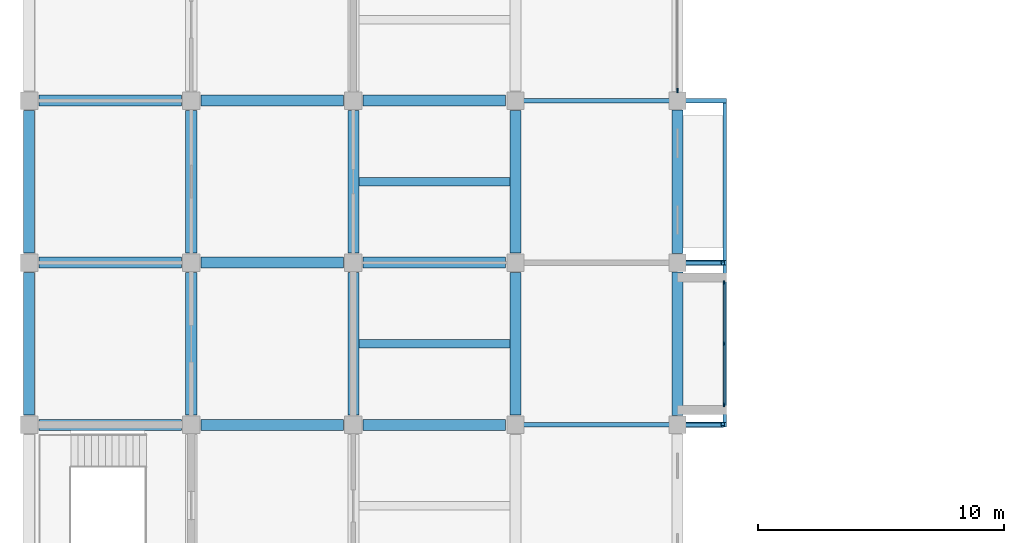
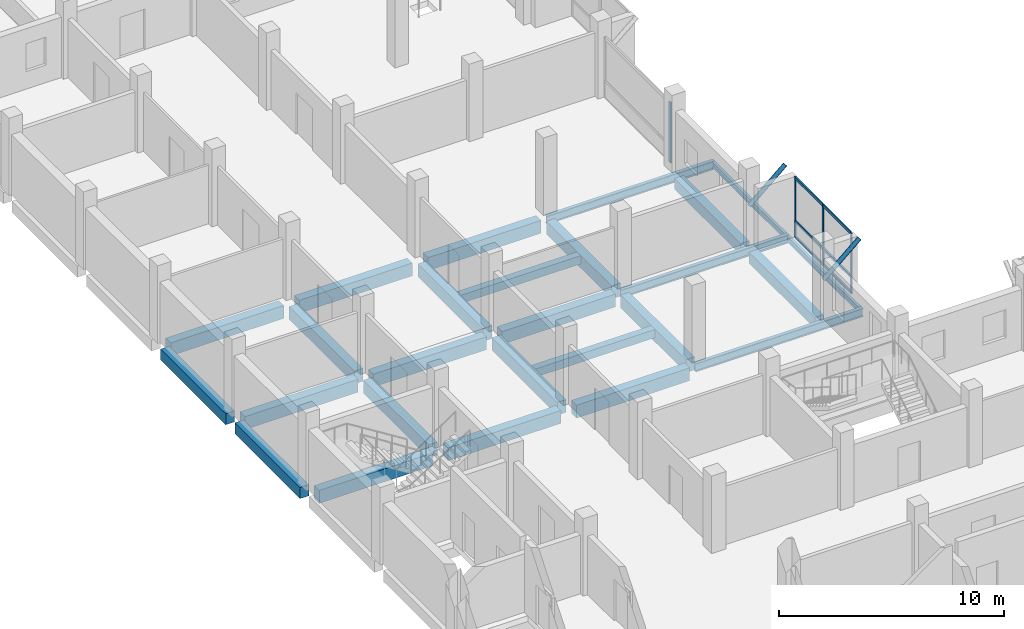
# One storey, part 3 of 13: 26 beams, 12 members, 2 elements without a shape of their own.
"""IFC4 building model written with IfcOpenShell, lengths in metres."""

from ifc_helpers import new_model, si_unit, direction, frame, origin, origin_2d, place, context, subcontext, project, spatial, rectangle, hollow_circle, i_section, extrude, material, material_profile, profile_set, type_object, element, aggregate, save


model = new_model("IFC4")

# Units and contexts
model_context = context("Model", 3, precision=1e-05, world=origin(), true_north=direction((0.0, 1.0)))
body_context = subcontext(model_context, "Body", "Model", "MODEL_VIEW")
ifc_project = project(units=[si_unit("LENGTHUNIT", "METRE"), si_unit("AREAUNIT", "SQUARE_METRE"), si_unit("VOLUMEUNIT", "CUBIC_METRE"), si_unit("PLANEANGLEUNIT", "RADIAN"), si_unit("MASSUNIT", "GRAM", prefix="KILO")], contexts=[model_context])

# Site, building, storey
site_placement = place(None, origin())
site = spatial("IfcSite", under=ifc_project, at=site_placement, CompositionType="ELEMENT")
building_placement = place(site_placement, origin())
building = spatial("IfcBuilding", under=site, at=building_placement, Name="Rusizi Kubbe Research Institute", CompositionType="ELEMENT")
storey_placement = place(building_placement, frame((0.0, 0.0, 35.39990234375)))
storey = spatial("IfcBuildingStorey", under=building, at=storey_placement, Name="L08", CompositionType="ELEMENT", Elevation=35.39990234375)

# Beams
ifc_material_1 = material(Name="Steel S355", Category="steel")
ifc_material_profile_1 = material_profile(ifc_material_1, i_section(OverallWidth=0.14990234375, OverallDepth=0.300048828125, WebThickness=0.007080078125, FlangeThickness=0.0107421875, at=origin_2d()), Name="IPE 300")
ifc_profile_set_1 = profile_set([ifc_material_profile_1], Name="Steel S355")
beam_type_1 = type_object("IfcBeamType", Name="BM-IPE300", PredefinedType="BEAM", material=ifc_profile_set_1)
for number, where, z_axis, x_axis, name in (
    (1, (28.324951171875, 33.094970703125, -0.469970703125), (0.0, 1.0, 0.0), (-1.0, 0.0, 0.0), "Cumba Edge Tie Beam L08-1"),
    (2, (28.324951171875, 39.695068359375, -0.469970703125), (0.0, 1.0, 0.0), (-1.0, 0.0, 0.0), "Cumba Edge Tie Beam L08-4"),
):
    element("IfcBeam", number, at=place(storey_placement, frame(where, z_axis=z_axis, x_axis=x_axis)), inside=storey, type_object=beam_type_1, Name=name, PredefinedType="BEAM", context=body_context, shape_type="SweptSolid", body=[
        extrude(i_section(OverallWidth=0.14990234375, OverallDepth=0.300048828125, WebThickness=0.007080078125, FlangeThickness=0.0107421875, at=origin_2d()), origin(), (0.0, 0.0, 1.0), 6.409912109375),
    ])
ifc_material_2 = material(Name="Steel S355", Category="steel")
ifc_material_profile_2 = material_profile(ifc_material_2, i_section(OverallWidth=0.18994140625, OverallDepth=0.449951171875, WebThickness=0.009521484375, FlangeThickness=0.0146484375, at=origin_2d()), Name="IPE 450")
ifc_profile_set_2 = profile_set([ifc_material_profile_2], Name="Steel S355")
beam_type_2 = type_object("IfcBeamType", Name="BM-IPE450", PredefinedType="BEAM", material=ifc_profile_set_2)
for number, where, z_axis, x_axis, name in (
    (3, (19.800048828125, 33.0, -0.544921875), (1.0, 0.0, 0.0), (0.0, 1.0, 0.0), "Cumba Back-Spanned Cantilever Beam L08-1S"),
    (4, (19.800048828125, 39.60009765625, -0.544921875), (1.0, 0.0, 0.0), (0.0, 1.0, 0.0), "Cumba Back-Spanned Cantilever Beam L08-1N"),
    (5, (19.800048828125, 46.199951171875, -0.544921875), (1.0, 0.0, 0.0), (0.0, 1.0, 0.0), "Cumba Back-Spanned Cantilever Beam L08-4N"),
):
    element("IfcBeam", number, at=place(storey_placement, frame(where, z_axis=z_axis, x_axis=x_axis)), inside=storey, type_object=beam_type_2, Name=name, PredefinedType="BEAM", context=body_context, shape_type="SweptSolid", body=[
        extrude(i_section(OverallWidth=0.18994140625, OverallDepth=0.449951171875, WebThickness=0.009521484375, FlangeThickness=0.0146484375, at=origin_2d()), origin(), (0.0, 0.0, 1.0), 8.599853515625),
    ])
ifc_material_3 = material(Name="Concrete C40/50", Category="concrete")
ifc_material_profile_3 = material_profile(ifc_material_3, rectangle(XDim=0.35009765625, YDim=0.449951171875, at=origin_2d()), Name="RC350x450")
ifc_profile_set_3 = profile_set([ifc_material_profile_3], Name="Concrete C40/50")
beam_type_3 = type_object("IfcBeamType", Name="BM-RC350x450", PredefinedType="JOIST", material=ifc_profile_set_3)
for number, where, z_axis, x_axis, name in (
    (6, (13.425048828125, 36.300048828125, -0.544921875), (1.0, 0.0, 0.0), (0.0, 1.0, 0.0), "Lab Stiffener Joist L08 (2,5)"),
    (7, (13.425048828125, 42.89990234375, -0.544921875), (1.0, 0.0, 0.0), (0.0, 1.0, 0.0), "Lab Stiffener Joist L08 (2,6)"),
):
    element("IfcBeam", number, at=place(storey_placement, frame(where, z_axis=z_axis, x_axis=x_axis)), inside=storey, type_object=beam_type_3, Name=name, PredefinedType="JOIST", context=body_context, shape_type="SweptSolid", body=[
        extrude(rectangle(XDim=0.35009765625, YDim=0.449951171875, at=origin_2d()), origin(), (0.0, 0.0, 1.0), 6.14990234375),
    ])
ifc_material_4 = material(Name="Concrete C40/50", Category="concrete")
ifc_material_profile_4 = material_profile(ifc_material_4, rectangle(XDim=0.449951171875, YDim=0.60009765625, at=origin_2d()), Name="RC450x600")
ifc_profile_set_4 = profile_set([ifc_material_profile_4], Name="Concrete C40/50")
beam_type_4 = type_object("IfcBeamType", Name="BM-RC450x600", PredefinedType="SPANDREL", material=ifc_profile_set_4)
for number, where, z_axis, x_axis, name in (
    (8, (0.0, 33.39990234375, -0.619873046875), (0.0, 1.0, 0.0), (-1.0, 0.0, 0.0), "Grid Beam V L08 (0,5)"),
    (9, (0.0, 40.0, -0.619873046875), (0.0, 1.0, 0.0), (-1.0, 0.0, 0.0), "Grid Beam V L08 (0,6)"),
):
    element("IfcBeam", number, at=place(storey_placement, frame(where, z_axis=z_axis, x_axis=x_axis)), inside=storey, type_object=beam_type_4, Name=name, PredefinedType="SPANDREL", context=body_context, shape_type="SweptSolid", body=[
        extrude(rectangle(XDim=0.449951171875, YDim=0.60009765625, at=origin_2d()), origin(), (0.0, 0.0, 1.0), 5.800048828125),
    ])
beam_1_placement = place(storey_placement, frame((26.39990234375, 33.375, -0.619873046875), z_axis=(0.0, 1.0, 0.0), x_axis=(-1.0, 0.0, 0.0)))
element("IfcBeam", 10, at=beam_1_placement, inside=storey, type_object=beam_type_4, Name="Grid Beam V L08 (4,5)", PredefinedType="SPANDREL", context=body_context, shape_type="SweptSolid", body=[
    extrude(rectangle(XDim=0.449951171875, YDim=0.60009765625, at=origin_2d()), origin(), (0.0, 0.0, 1.0), 5.85009765625),
])
beam_2_placement = place(storey_placement, frame((26.39990234375, 39.97509765625, -0.619873046875), z_axis=(0.0, 1.0, 0.0), x_axis=(-1.0, 0.0, 0.0)))
element("IfcBeam", 11, at=beam_2_placement, inside=storey, type_object=beam_type_4, Name="Grid Beam V L08 (4,6)", PredefinedType="SPANDREL", context=body_context, shape_type="SweptSolid", body=[
    extrude(rectangle(XDim=0.449951171875, YDim=0.60009765625, at=origin_2d()), origin(), (0.0, 0.0, 1.0), 5.849853515625),
])
ifc_material_5 = material(Name="Concrete C40/50", Category="concrete")
ifc_material_profile_5 = material_profile(ifc_material_5, rectangle(XDim=0.449951171875, YDim=0.699951171875, at=origin_2d()), Name="RC450x700B")
ifc_profile_set_5 = profile_set([ifc_material_profile_5], Name="Concrete C40/50")
beam_type_5 = type_object("IfcBeamType", Name="BM-RC450x700", PredefinedType="BEAM", material=ifc_profile_set_5)
for number, where, z_axis, x_axis, name in (
    (12, (0.39990234375, 33.0, -0.669921875), (1.0, 0.0, 0.0), (0.0, 1.0, 0.0), "Grid Beam H L08 (0,5)"),
    (13, (0.39990234375, 39.60009765625, -0.669921875), (1.0, 0.0, 0.0), (0.0, 1.0, 0.0), "Grid Beam H L08 (0,6)"),
    (14, (0.39990234375, 46.199951171875, -0.669921875), (1.0, 0.0, 0.0), (0.0, 1.0, 0.0), "Grid Beam H L08 (0,7)"),
    (15, (7.0, 33.0, -0.669921875), (1.0, 0.0, 0.0), (0.0, 1.0, 0.0), "Grid Beam H L08 (1,5)"),
    (16, (7.0, 39.60009765625, -0.669921875), (1.0, 0.0, 0.0), (0.0, 1.0, 0.0), "Grid Beam H L08 (1,6)"),
    (17, (7.0, 46.199951171875, -0.669921875), (1.0, 0.0, 0.0), (0.0, 1.0, 0.0), "Grid Beam H L08 (1,7)"),
):
    element("IfcBeam", number, at=place(storey_placement, frame(where, z_axis=z_axis, x_axis=x_axis)), inside=storey, type_object=beam_type_5, Name=name, PredefinedType="BEAM", context=body_context, shape_type="SweptSolid", body=[
        extrude(rectangle(XDim=0.449951171875, YDim=0.699951171875, at=origin_2d()), origin(), (0.0, 0.0, 1.0), 5.800048828125),
    ])
for number, where, z_axis, x_axis, name in (
    (18, (13.60009765625, 33.0, -0.669921875), (1.0, 0.0, 0.0), (0.0, 1.0, 0.0), "Grid Beam H L08 (2,5)"),
    (19, (13.60009765625, 39.60009765625, -0.669921875), (1.0, 0.0, 0.0), (0.0, 1.0, 0.0), "Grid Beam H L08 (2,6)"),
    (20, (13.60009765625, 46.199951171875, -0.669921875), (1.0, 0.0, 0.0), (0.0, 1.0, 0.0), "Grid Beam H L08 (2,7)"),
):
    element("IfcBeam", number, at=place(storey_placement, frame(where, z_axis=z_axis, x_axis=x_axis)), inside=storey, type_object=beam_type_5, Name=name, PredefinedType="BEAM", context=body_context, shape_type="SweptSolid", body=[
        extrude(rectangle(XDim=0.449951171875, YDim=0.699951171875, at=origin_2d()), origin(), (0.0, 0.0, 1.0), 5.7998046875),
    ])
for number, where, z_axis, x_axis, name in (
    (21, (6.60009765625, 33.39990234375, -0.669921875), (0.0, 1.0, 0.0), (-1.0, 0.0, 0.0), "Grid Beam V L08 (1,5)"),
    (22, (6.60009765625, 40.0, -0.669921875), (0.0, 1.0, 0.0), (-1.0, 0.0, 0.0), "Grid Beam V L08 (1,6)"),
    (23, (13.199951171875, 33.39990234375, -0.669921875), (0.0, 1.0, 0.0), (-1.0, 0.0, 0.0), "Grid Beam V L08 (2,5)"),
    (24, (13.199951171875, 40.0, -0.669921875), (0.0, 1.0, 0.0), (-1.0, 0.0, 0.0), "Grid Beam V L08 (2,6)"),
    (25, (19.800048828125, 33.39990234375, -0.669921875), (0.0, 1.0, 0.0), (-1.0, 0.0, 0.0), "Grid Beam V L08 (3,5)"),
    (26, (19.800048828125, 40.0, -0.669921875), (0.0, 1.0, 0.0), (-1.0, 0.0, 0.0), "Grid Beam V L08 (3,6)"),
):
    element("IfcBeam", number, at=place(storey_placement, frame(where, z_axis=z_axis, x_axis=x_axis)), inside=storey, type_object=beam_type_5, Name=name, PredefinedType="BEAM", context=body_context, shape_type="SweptSolid", body=[
        extrude(rectangle(XDim=0.449951171875, YDim=0.699951171875, at=origin_2d()), origin(), (0.0, 0.0, 1.0), 5.800048828125),
    ])

# Members
ifc_material_6 = material(Name="Steel S355", Category="steel")
ifc_material_profile_6 = material_profile(ifc_material_6, hollow_circle(Radius=0.109619140625, WallThickness=0.008056640625, at=origin_2d()), Name="CHS 219.1x8.0")
ifc_profile_set_6 = profile_set([ifc_material_profile_6], Name="Steel S355")
member_type_1 = type_object("IfcMemberType", Name="MB-CHS219", PredefinedType="BRACE", material=ifc_profile_set_6)
for number, where, z_axis, x_axis, name in (
    (27, (26.39990234375, 33.0, 1.880126953125), (0.756409887843, 0.0, 0.654097914362), (0.0, 1.0, 0.0), "Cumba Diagonal Corbel Brace L09-1S"),
    (28, (26.39990234375, 39.60009765625, 1.880126953125), (0.756409887843, 0.0, 0.654097914362), (0.0, 1.0, 0.0), "Cumba Diagonal Corbel Brace L09-1N"),
):
    element("IfcMember", number, at=place(storey_placement, frame(where, z_axis=z_axis, x_axis=x_axis)), inside=storey, type_object=member_type_1, Name=name, PredefinedType="BRACE", context=body_context, shape_type="SweptSolid", body=[
        extrude(hollow_circle(Radius=0.109619140625, WallThickness=0.008056640625, at=origin_2d()), origin(), (0.0, 0.0, 1.0), 2.44580078125),
    ])

# Curtain wall, members
ifc_material_7 = material(Name="Thermally Broken Aluminium and Low-E Glazing", Category="aluminium")
curtain_wall_type_1 = type_object("IfcCurtainWallType", Name="CW-03", PredefinedType="NOTDEFINED", material=ifc_material_7)
curtain_wall_1_placement = place(storey_placement, origin())
curtain_wall_1 = element("IfcCurtainWall", 29, at=curtain_wall_1_placement, inside=storey, type_object=curtain_wall_type_1, Name="Cumba Glazed Curtain Wall CW-CUMBA-L08-090", PredefinedType="NOTDEFINED")
ifc_material_8 = material(Name="Aluminium Alloy 6063-T6", Category="aluminium")
ifc_material_profile_7 = material_profile(ifc_material_8, rectangle(XDim=0.06005859375, YDim=0.14990234375, at=origin_2d()), Name="ALU-M 60x150")
ifc_profile_set_7 = profile_set([ifc_material_profile_7], Name="Aluminium Alloy 6063-T6")
member_type_2 = type_object("IfcMemberType", Name="ML-01", PredefinedType="MULLION", material=ifc_profile_set_7)
member_1_placement = place(storey_placement, frame((28.300048828125, 33.8125, 0.0), z_axis=(0.0, 0.0, 1.0), x_axis=(-1.0, 0.0, 0.0)))
member_1 = element("IfcMember", 30, at=member_1_placement, type_object=member_type_2, Name="CW-03 mullion 1", PredefinedType="MULLION", context=body_context, shape_type="SweptSolid", body=[
    extrude(rectangle(XDim=0.06005859375, YDim=0.14990234375, at=origin_2d()), origin(), (0.0, 0.0, 1.0), 3.280029296875),
])
member_2_placement = place(storey_placement, frame((28.300048828125, 36.300048828125, 0.0), z_axis=(0.0, 0.0, 1.0), x_axis=(-1.0, 0.0, 0.0)))
member_2 = element("IfcMember", 31, at=member_2_placement, type_object=member_type_2, Name="CW-03 mullion 2", PredefinedType="MULLION", context=body_context, shape_type="SweptSolid", body=[
    extrude(rectangle(XDim=0.06005859375, YDim=0.14990234375, at=origin_2d()), origin(), (0.0, 0.0, 1.0), 3.280029296875),
])
member_3_placement = place(storey_placement, frame((28.300048828125, 38.78759765625, 0.0), z_axis=(0.0, 0.0, 1.0), x_axis=(-1.0, 0.0, 0.0)))
member_3 = element("IfcMember", 32, at=member_3_placement, type_object=member_type_2, Name="CW-03 mullion 3", PredefinedType="MULLION", context=body_context, shape_type="SweptSolid", body=[
    extrude(rectangle(XDim=0.06005859375, YDim=0.14990234375, at=origin_2d()), origin(), (0.0, 0.0, 1.0), 3.280029296875),
])

# Curtain wall, member
ifc_material_9 = material(Name="Thermally Broken Aluminium and Low-E Glazing", Category="aluminium")
curtain_wall_type_2 = type_object("IfcCurtainWallType", Name="CW-11", PredefinedType="NOTDEFINED", material=ifc_material_9)
curtain_wall_2_placement = place(storey_placement, origin())
curtain_wall_2 = element("IfcCurtainWall", 33, at=curtain_wall_2_placement, inside=storey, type_object=curtain_wall_type_2, Name="Unitised Facade Curtain Wall CW-L08-V-04-07", PredefinedType="NOTDEFINED")
ifc_material_10 = material(Name="Aluminium Alloy 6063-T6", Category="aluminium")
ifc_material_profile_8 = material_profile(ifc_material_10, rectangle(XDim=0.06005859375, YDim=0.179931640625, at=origin_2d()), Name="ALU-M 60x180")
ifc_profile_set_8 = profile_set([ifc_material_profile_8], Name="Aluminium Alloy 6063-T6")
member_type_3 = type_object("IfcMemberType", Name="ML-02", PredefinedType="MULLION", material=ifc_profile_set_8)
member_4_placement = place(storey_placement, frame((26.39990234375, 46.610107421875, 0.0), z_axis=(0.0, 0.0, 1.0), x_axis=(-1.0, 0.0, 0.0)))
member_4 = element("IfcMember", 34, at=member_4_placement, type_object=member_type_3, Name="CW-11 mullion 1", PredefinedType="MULLION", context=body_context, shape_type="SweptSolid", body=[
    extrude(rectangle(XDim=0.06005859375, YDim=0.179931640625, at=origin_2d()), origin(), (0.0, 0.0, 1.0), 3.280029296875),
])
aggregate(curtain_wall_2, [member_4])

# Member
ifc_material_11 = material(Name="Aluminium Alloy 6063-T6", Category="aluminium")
ifc_material_profile_9 = material_profile(ifc_material_11, rectangle(XDim=0.06494140625, YDim=0.159912109375, at=origin_2d()), Name="ALU-T 65x160")
ifc_profile_set_9 = profile_set([ifc_material_profile_9], Name="Aluminium Alloy 6063-T6")
member_type_4 = type_object("IfcMemberType", Name="TR-03", PredefinedType="USERDEFINED", material=ifc_profile_set_9)
member_5_placement = place(storey_placement, frame((28.300048828125, 33.842529296875, 0.03271484375), z_axis=(0.0, 1.0, 0.0), x_axis=(-1.0, 0.0, 0.0)))
member_5 = element("IfcMember", 35, at=member_5_placement, type_object=member_type_4, Name="CW-03 transom 1.1", ObjectType="TRANSOM", PredefinedType="USERDEFINED", context=body_context, shape_type="SweptSolid", body=[
    extrude(rectangle(XDim=0.06494140625, YDim=0.159912109375, at=origin_2d()), origin(), (0.0, 0.0, 1.0), 2.427490234375),
])

member_6_placement = place(storey_placement, frame((28.300048828125, 33.842529296875, 0.900146484375), z_axis=(0.0, 1.0, 0.0), x_axis=(-1.0, 0.0, 0.0)))
member_6 = element("IfcMember", 36, at=member_6_placement, type_object=member_type_4, Name="CW-03 transom 1.2", ObjectType="TRANSOM", PredefinedType="USERDEFINED", context=body_context, shape_type="SweptSolid", body=[
    extrude(rectangle(XDim=0.06494140625, YDim=0.159912109375, at=origin_2d()), origin(), (0.0, 0.0, 1.0), 2.427490234375),
])

member_7_placement = place(storey_placement, frame((28.300048828125, 33.842529296875, 3.24755859375), z_axis=(0.0, 1.0, 0.0), x_axis=(-1.0, 0.0, 0.0)))
member_7 = element("IfcMember", 37, at=member_7_placement, type_object=member_type_4, Name="CW-03 transom 1.3", ObjectType="TRANSOM", PredefinedType="USERDEFINED", context=body_context, shape_type="SweptSolid", body=[
    extrude(rectangle(XDim=0.06494140625, YDim=0.159912109375, at=origin_2d()), origin(), (0.0, 0.0, 1.0), 2.427490234375),
])

member_8_placement = place(storey_placement, frame((28.300048828125, 36.330078125, 0.03271484375), z_axis=(0.0, 1.0, 0.0), x_axis=(-1.0, 0.0, 0.0)))
member_8 = element("IfcMember", 38, at=member_8_placement, type_object=member_type_4, Name="CW-03 transom 2.1", ObjectType="TRANSOM", PredefinedType="USERDEFINED", context=body_context, shape_type="SweptSolid", body=[
    extrude(rectangle(XDim=0.06494140625, YDim=0.159912109375, at=origin_2d()), origin(), (0.0, 0.0, 1.0), 2.427490234375),
])

member_9_placement = place(storey_placement, frame((28.300048828125, 36.330078125, 0.900146484375), z_axis=(0.0, 1.0, 0.0), x_axis=(-1.0, 0.0, 0.0)))
member_9 = element("IfcMember", 39, at=member_9_placement, type_object=member_type_4, Name="CW-03 transom 2.2", ObjectType="TRANSOM", PredefinedType="USERDEFINED", context=body_context, shape_type="SweptSolid", body=[
    extrude(rectangle(XDim=0.06494140625, YDim=0.159912109375, at=origin_2d()), origin(), (0.0, 0.0, 1.0), 2.427490234375),
])

member_10_placement = place(storey_placement, frame((28.300048828125, 36.330078125, 3.24755859375), z_axis=(0.0, 1.0, 0.0), x_axis=(-1.0, 0.0, 0.0)))
member_10 = element("IfcMember", 40, at=member_10_placement, type_object=member_type_4, Name="CW-03 transom 2.3", ObjectType="TRANSOM", PredefinedType="USERDEFINED", context=body_context, shape_type="SweptSolid", body=[
    extrude(rectangle(XDim=0.06494140625, YDim=0.159912109375, at=origin_2d()), origin(), (0.0, 0.0, 1.0), 2.427490234375),
])

aggregate(curtain_wall_1, [member_1, member_2, member_3, member_5, member_6, member_7, member_8, member_9, member_10])

save(model, "model.ifc")
